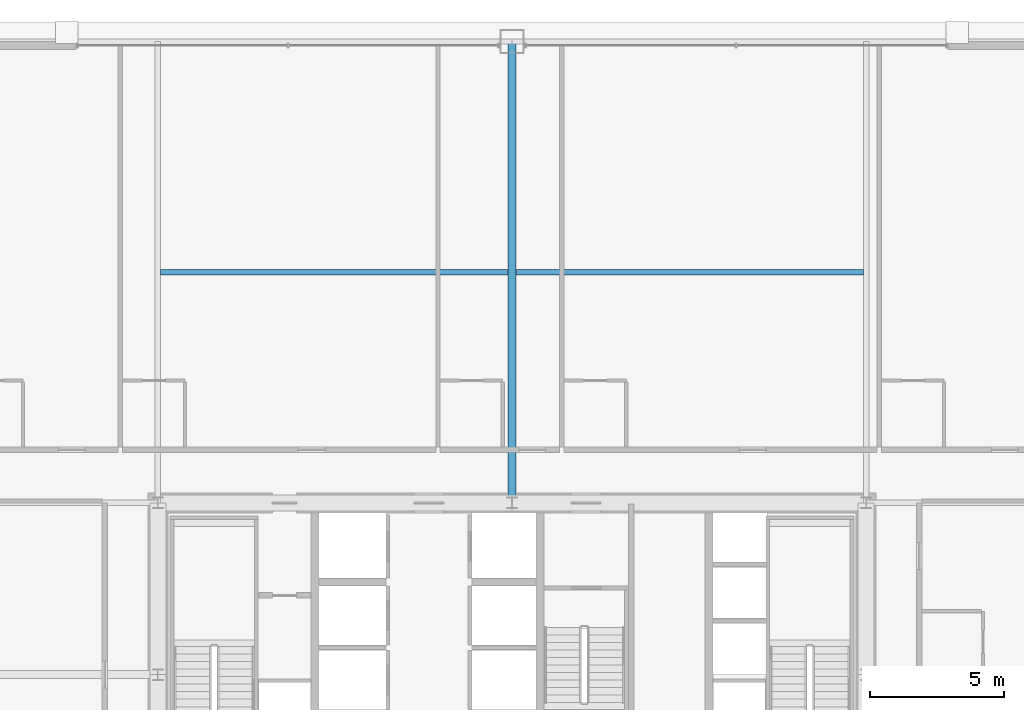
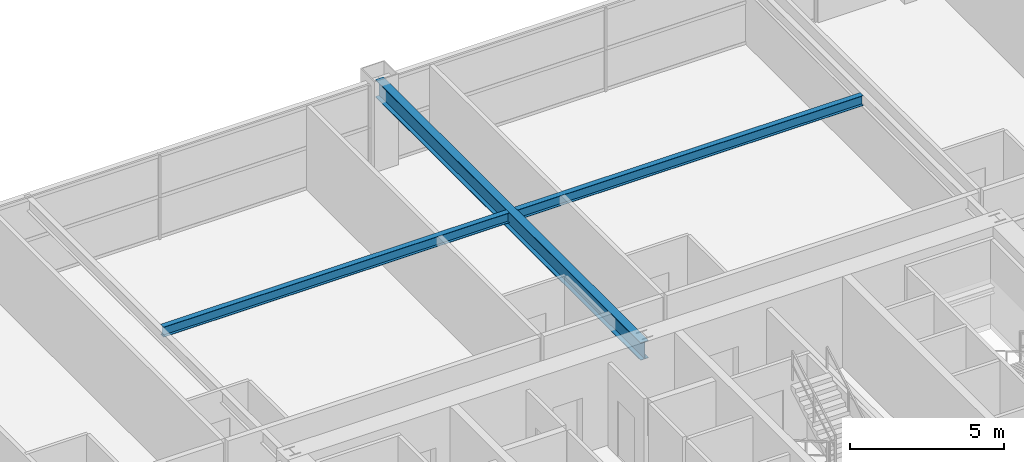
# One storey, part 25 of 38: 3 beams.
"""IFC4 building model written with IfcOpenShell, lengths in metres."""

from ifc_helpers import new_model, si_unit, direction, frame, origin, origin_2d, place, context, subcontext, project, spatial, i_section, extrude, source, transform, mapped, material, material_profile, profile_set, type_object, element, save


model = new_model("IFC4")

# Units and contexts
model_context = context("Model", 3, precision=1e-05, world=origin(), true_north=direction((0.0, 1.0)))
body_context = subcontext(model_context, "Body", "Model", "MODEL_VIEW")
ifc_project = project(units=[si_unit("LENGTHUNIT", "METRE"), si_unit("AREAUNIT", "SQUARE_METRE"), si_unit("VOLUMEUNIT", "CUBIC_METRE"), si_unit("PLANEANGLEUNIT", "RADIAN"), si_unit("MASSUNIT", "GRAM", prefix="KILO"), si_unit("THERMODYNAMICTEMPERATUREUNIT", "KELVIN"), si_unit("POWERUNIT", "WATT")], contexts=[model_context])

# Site, building, storey
site_placement = place(None, origin())
site = spatial("IfcSite", under=ifc_project, at=site_placement, CompositionType="ELEMENT")
building_placement = place(site_placement, origin())
building = spatial("IfcBuilding", under=site, at=building_placement, Name="Yuzanri Waterfront Tower", CompositionType="ELEMENT")
storey_placement = place(building_placement, frame((0.0, 0.0, 126.199951171875)))
storey = spatial("IfcBuildingStorey", under=building, at=storey_placement, Name="L33", CompositionType="ELEMENT", Elevation=126.199951171875)

# Beams
ifc_material_1 = material(Name="Steel Q355B", Category="steel")
ifc_material_profile_1 = material_profile(ifc_material_1, i_section(OverallWidth=0.199951171875, OverallDepth=0.39990234375, WebThickness=0.008056640625, FlangeThickness=0.012939453125, at=origin_2d()), Name="HN 400x200x8x13")
ifc_profile_set_1 = profile_set([ifc_material_profile_1], Name="Steel Q355B")
beam_type_1 = type_object("IfcBeamType", Name="Floor Joist Q355B HN 400x200", PredefinedType="JOIST", material=ifc_profile_set_1)
shared_shape_1 = source(origin(), body_context, "Body", "SweptSolid", [
    extrude(i_section(OverallWidth=0.199951171875, OverallDepth=0.39990234375, WebThickness=0.008056640625, FlangeThickness=0.012939453125, at=origin_2d()), origin(), (0.0, 0.0, 1.0), 12.9501953125),
])
for number, where, z_axis, x_axis, name in (
    (1, (23.89990234375, 40.800048828125, 3.1201171875), (1.0, 0.0, 0.0), (0.0, 1.0, 0.0), "L33 North Bay Joist W"),
    (2, (37.14990234375, 40.800048828125, 3.1201171875), (1.0, 0.0, 0.0), (0.0, 1.0, 0.0), "L33 North Bay Joist E"),
):
    element("IfcBeam", number, at=place(storey_placement, frame(where, z_axis=z_axis, x_axis=x_axis)), inside=storey, type_object=beam_type_1, Name=name, PredefinedType="JOIST", context=body_context, shape_type="MappedRepresentation", body=[
        mapped(shared_shape_1, transform((0.0, 0.0, 0.0), scale=1.0)),
    ])
ifc_material_2 = material(Name="Steel Q355B", Category="steel")
ifc_material_profile_2 = material_profile(ifc_material_2, i_section(OverallWidth=0.300048828125, OverallDepth=0.699951171875, WebThickness=0.012939453125, FlangeThickness=0.02392578125, at=origin_2d()), Name="HN 700x300x13x24")
ifc_profile_set_2 = profile_set([ifc_material_profile_2], Name="Steel Q355B")
beam_type_2 = type_object("IfcBeamType", Name="Primary Floor Girder Q355B HN 700x300", PredefinedType="BEAM", material=ifc_profile_set_2)
shared_shape_2 = source(origin(), body_context, "Body", "SweptSolid", [
    extrude(i_section(OverallWidth=0.300048828125, OverallDepth=0.699951171875, WebThickness=0.012939453125, FlangeThickness=0.02392578125, at=origin_2d()), origin(), (0.0, 0.0, 1.0), 17.199951171875),
])
beam_placement = place(storey_placement, frame((37.0, 32.199951171875, 2.969970703125), z_axis=(0.0, 1.0, 0.0), x_axis=(-1.0, 0.0, 0.0)))
element("IfcBeam", 3, at=beam_placement, inside=storey, type_object=beam_type_2, Name="L33 North Grid Girder", PredefinedType="BEAM", context=body_context, shape_type="MappedRepresentation", body=[
    mapped(shared_shape_2, transform((0.0, 0.0, 0.0), scale=1.0)),
])

save(model, "model.ifc")
